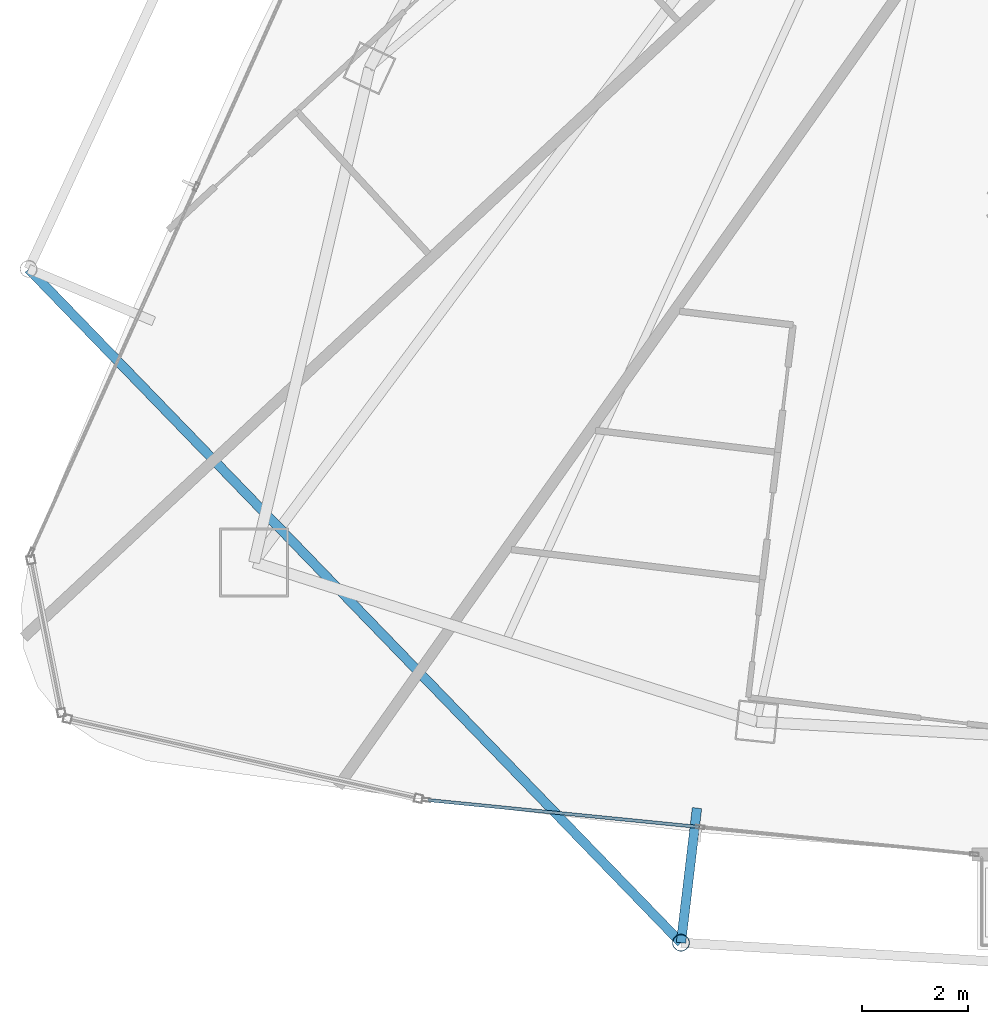
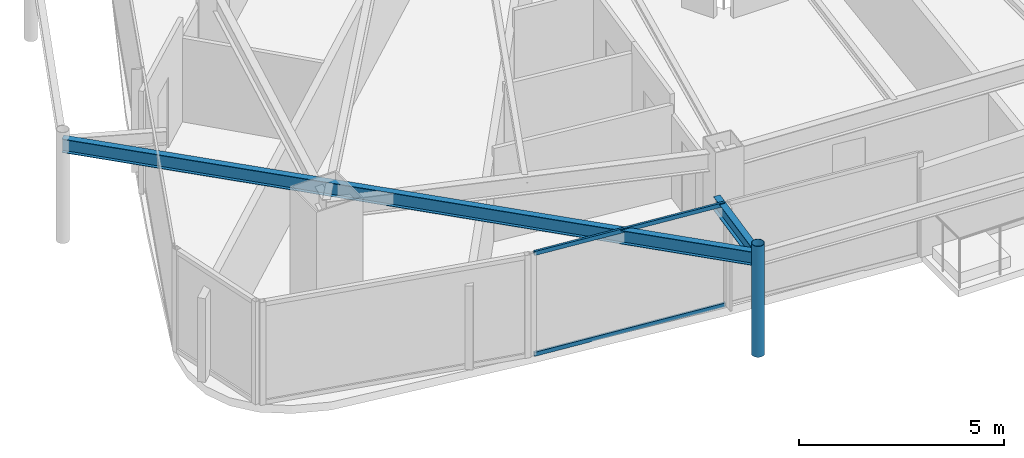
# One storey, part 3 of 32: 3 members, 2 beams, 1 element without a shape of its own.
"""IFC4 building model written with IfcOpenShell, lengths in metres."""

from ifc_helpers import new_model, si_unit, direction, frame, origin, origin_2d, place, context, subcontext, project, spatial, hollow_rectangle, hollow_circle, i_section, extrude, material, layer, layer_set, material_profile, profile_set, type_object, element, aggregate, save


model = new_model("IFC4")

# Units and contexts
model_context = context("Model", 3, precision=1e-05, world=origin(), true_north=direction((0.0, 1.0)))
body_context = subcontext(model_context, "Body", "Model", "MODEL_VIEW")
ifc_project = project(units=[si_unit("LENGTHUNIT", "METRE"), si_unit("AREAUNIT", "SQUARE_METRE"), si_unit("VOLUMEUNIT", "CUBIC_METRE"), si_unit("PLANEANGLEUNIT", "RADIAN"), si_unit("MASSUNIT", "GRAM", prefix="KILO")], contexts=[model_context])

# Site, building, storey
site_placement = place(None, origin())
site = spatial("IfcSite", under=ifc_project, at=site_placement, CompositionType="ELEMENT")
building_placement = place(site_placement, origin())
building = spatial("IfcBuilding", under=site, at=building_placement, Name="Orvanel Arch Residences", CompositionType="ELEMENT")
storey_placement = place(building_placement, frame((0.0, 0.0, 216.199951171875)))
storey = spatial("IfcBuildingStorey", under=building, at=storey_placement, Name="L61", CompositionType="ELEMENT", Elevation=216.199951171875)

# Beams
ifc_material_1 = material(Name="Structural steel AS/NZS 3679.1 Grade 300 (300 MPa)", Category="steel")
ifc_material_profile_1 = material_profile(ifc_material_1, i_section(OverallWidth=0.177978515625, OverallDepth=0.406005859375, WebThickness=0.0078125, FlangeThickness=0.0126953125, at=origin_2d()), Name="410UB59.7")
ifc_profile_set_1 = profile_set([ifc_material_profile_1], Name="Structural steel AS/NZS 3679.1 Grade 300 (300 MPa)")
beam_type = type_object("IfcBeamType", Name="OB-410UB-EXT", PredefinedType="SPANDREL", material=ifc_profile_set_1)
beam_1_placement = place(storey_placement, frame((9.9609375, 15.867919921875, 2.85693359375), z_axis=(0.695589803041, -0.718439159502, 0.0), x_axis=(0.718439159502, 0.695589803041, 0.0)))
element("IfcBeam", 1, at=beam_1_placement, inside=storey, type_object=beam_type, Name="L61 Outer Perimeter Floor Ring Beam 04", PredefinedType="SPANDREL", context=body_context, shape_type="SweptSolid", body=[
    extrude(i_section(OverallWidth=0.177978515625, OverallDepth=0.406005859375, WebThickness=0.0078125, FlangeThickness=0.0126953125, at=origin_2d()), origin(), (0.0, 0.0, 1.0), 17.6298828125),
])
beam_2_placement = place(storey_placement, frame((22.52490234375, 5.73388671875, 2.85693359375), z_axis=(-0.117963370057, -0.993017947131, 0.0), x_axis=(0.993017947131, -0.117963370057, 0.0)))
element("IfcBeam", 2, at=beam_2_placement, inside=storey, type_object=beam_type, Name="L61 Outer Frame Radial Tie Beam 05", PredefinedType="SPANDREL", context=body_context, shape_type="SweptSolid", body=[
    extrude(i_section(OverallWidth=0.177978515625, OverallDepth=0.406005859375, WebThickness=0.0078125, FlangeThickness=0.0126953125, at=origin_2d()), origin(), (0.0, 0.0, 1.0), 2.5498046875),
])

# Member
ifc_material_2 = material(Name="Structural steel AS/NZS 1163 C350L0 (Grade 350)", Category="steel")
ifc_material_profile_2 = material_profile(ifc_material_2, hollow_circle(Radius=0.162109375, WallThickness=0.0126953125, at=origin_2d()), Name="CHS324x12.7")
ifc_profile_set_2 = profile_set([ifc_material_profile_2], Name="Structural steel AS/NZS 1163 C350L0 (Grade 350)")
member_type_1 = type_object("IfcMemberType", Name="ST-324CHS-EXT", PredefinedType="STRUT", material=ifc_profile_set_2)
member_1_placement = place(storey_placement, frame((22.22412109375, 3.201904296875, 0.0), z_axis=(0.0, 0.0, 1.0), x_axis=(1.0, 0.0, 0.0)))
element("IfcMember", 3, at=member_1_placement, inside=storey, type_object=member_type_1, Name="L61 Outer Perimeter Frame Post 05", PredefinedType="STRUT", context=body_context, shape_type="SweptSolid", body=[
    extrude(hollow_circle(Radius=0.162109375, WallThickness=0.0126953125, at=origin_2d()), origin(), (0.0, 0.0, 1.0), 3.300048828125),
])

# Curtain wall, members
ifc_material_3 = material(Name="Bronze-anodised aluminium AA6063-T6", Category="aluminium")
ifc_layer = layer(ifc_material_3, 0.175048828125)
ifc_layer_set = layer_set([ifc_layer], Name="Bronze-anodised aluminium AA6063-T6")
curtain_wall_type = type_object("IfcCurtainWallType", Name="CW4-HI-SYS", PredefinedType="NOTDEFINED", material=ifc_layer_set)
curtain_wall_placement = place(storey_placement, origin())
curtain_wall = element("IfcCurtainWall", 4, at=curtain_wall_placement, inside=storey, type_object=curtain_wall_type, Name="L61 CW4-HI-SYS Unitised Curtain Wall", PredefinedType="NOTDEFINED")
ifc_material_profile_3 = material_profile(ifc_material_3, hollow_rectangle(XDim=0.06005859375, YDim=0.1201171875, WallThickness=0.00341796875, at=origin_2d()), Name="ALU120x60x3.5")
ifc_profile_set_3 = profile_set([ifc_material_profile_3], Name="Bronze-anodised aluminium AA6063-T6")
member_type_2 = type_object("IfcMemberType", Name="TRN-120x60", PredefinedType="USERDEFINED", material=ifc_profile_set_3)
member_2_placement = place(storey_placement, frame((17.46875, 5.884521484375, 0.030029296875), z_axis=(0.995103157741, -0.098841820371, 0.0), x_axis=(0.098841820371, 0.995103157741, 0.0)))
member_2 = element("IfcMember", 5, at=member_2_placement, type_object=member_type_2, Name="CW-S4 transom 1.1", ObjectType="TRANSOM", PredefinedType="USERDEFINED", context=body_context, shape_type="SweptSolid", body=[
    extrude(hollow_rectangle(XDim=0.06005859375, YDim=0.1201171875, WallThickness=0.00341796875, at=origin_2d()), origin(), (0.0, 0.0, 1.0), 5.113037109375),
])
member_3_placement = place(storey_placement, frame((17.46875, 5.884521484375, 3.030029296875), z_axis=(0.995103157741, -0.098841820371, 0.0), x_axis=(0.098841820371, 0.995103157741, 0.0)))
member_3 = element("IfcMember", 6, at=member_3_placement, type_object=member_type_2, Name="CW-S4 transom 1.2", ObjectType="TRANSOM", PredefinedType="USERDEFINED", context=body_context, shape_type="SweptSolid", body=[
    extrude(hollow_rectangle(XDim=0.06005859375, YDim=0.1201171875, WallThickness=0.00341796875, at=origin_2d()), origin(), (0.0, 0.0, 1.0), 5.113037109375),
])
aggregate(curtain_wall, [member_2, member_3])

save(model, "model.ifc")
